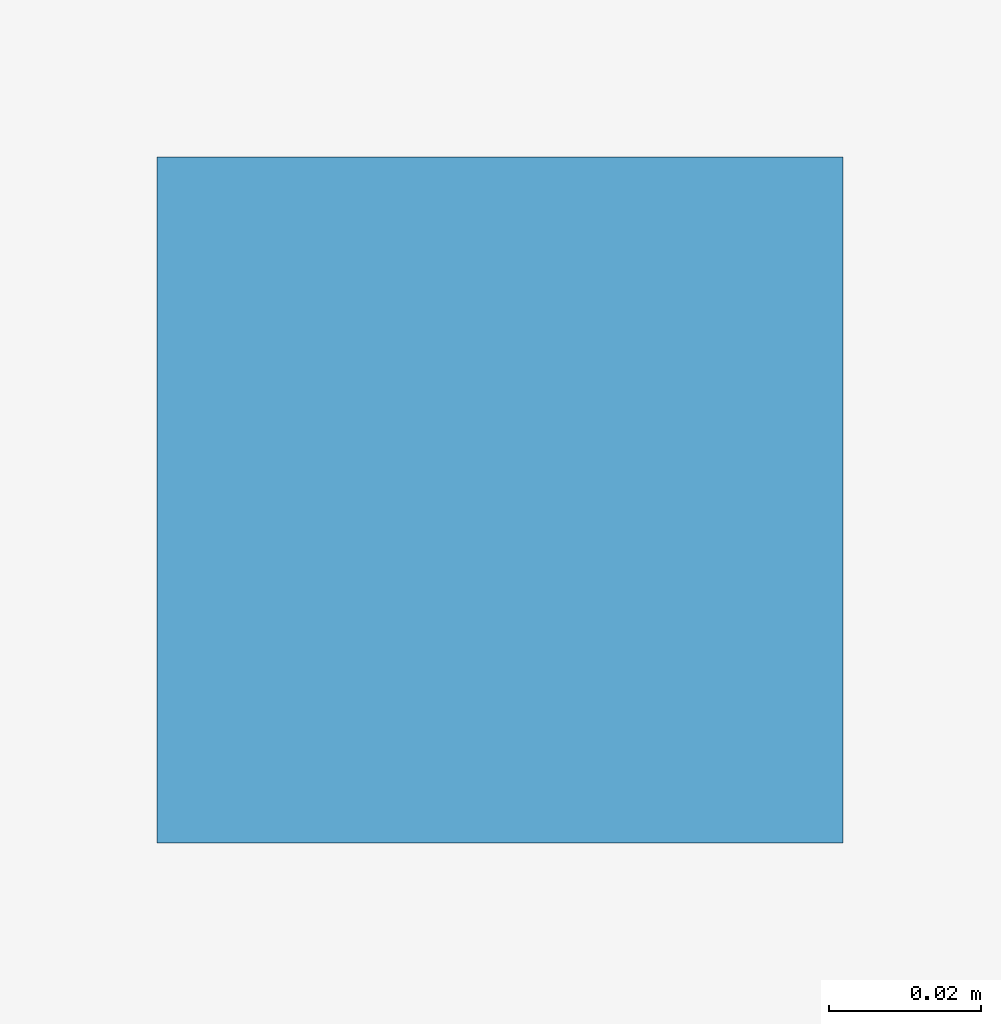
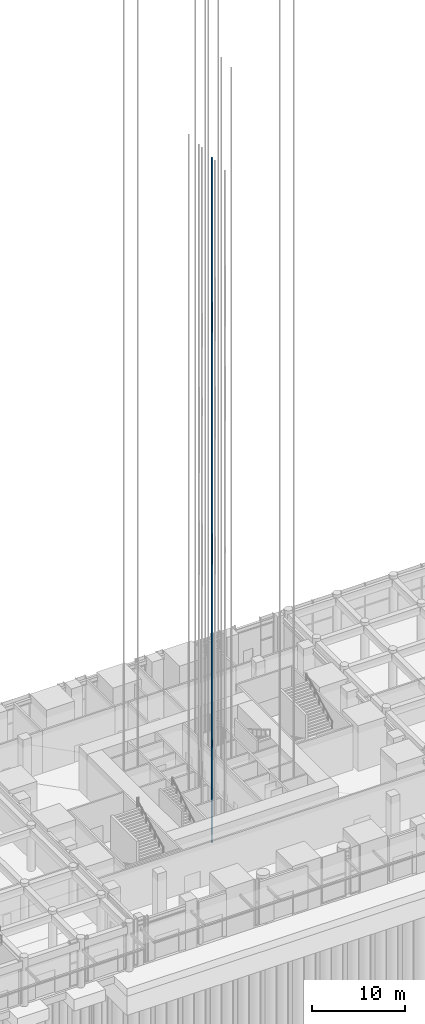
# One storey, part 29 of 46: 1 discrete accessory.
"""IFC4 building model written with IfcOpenShell, lengths in metres."""

from ifc_helpers import new_model, si_unit, direction, frame, origin, origin_2d, place, context, subcontext, project, spatial, rectangle, extrude, element, save


model = new_model("IFC4")

# Units and contexts
model_context = context("Model", 3, precision=1e-05, world=origin(), true_north=direction((0.0, 1.0)))
body_context = subcontext(model_context, "Body", "Model", "MODEL_VIEW")
ifc_project = project(units=[si_unit("LENGTHUNIT", "METRE"), si_unit("AREAUNIT", "SQUARE_METRE"), si_unit("VOLUMEUNIT", "CUBIC_METRE"), si_unit("PLANEANGLEUNIT", "RADIAN"), si_unit("MASSUNIT", "GRAM", prefix="KILO")], contexts=[model_context])

# Site, building, storey
site_placement = place(None, origin())
site = spatial("IfcSite", under=ifc_project, at=site_placement, CompositionType="ELEMENT")
building_placement = place(site_placement, origin())
building = spatial("IfcBuilding", under=site, at=building_placement, Name="Svetlomir Tower", CompositionType="ELEMENT")
storey_placement = place(building_placement, origin())
storey = spatial("IfcBuildingStorey", under=building, at=storey_placement, Name="L00", CompositionType="ELEMENT", Elevation=0.0)

# Discrete accessory
discrete_accessory_placement = place(storey_placement, frame((18.300048828125, 15.625, 0.0), z_axis=(0.0, 0.0, 1.0), x_axis=(1.0, 0.0, 0.0)))
element("IfcDiscreteAccessory", 1, at=discrete_accessory_placement, inside=storey, Name="Lift LA2 guide rail 1", ObjectType="LIFT GUIDE RAIL", PredefinedType="USERDEFINED", context=body_context, shape_type="SweptSolid", body=[
    extrude(rectangle(XDim=0.090087890625, YDim=0.090087890625, at=origin_2d()), origin(), (0.0, 0.0, 1.0), 89.699951171875),
])

save(model, "model.ifc")
